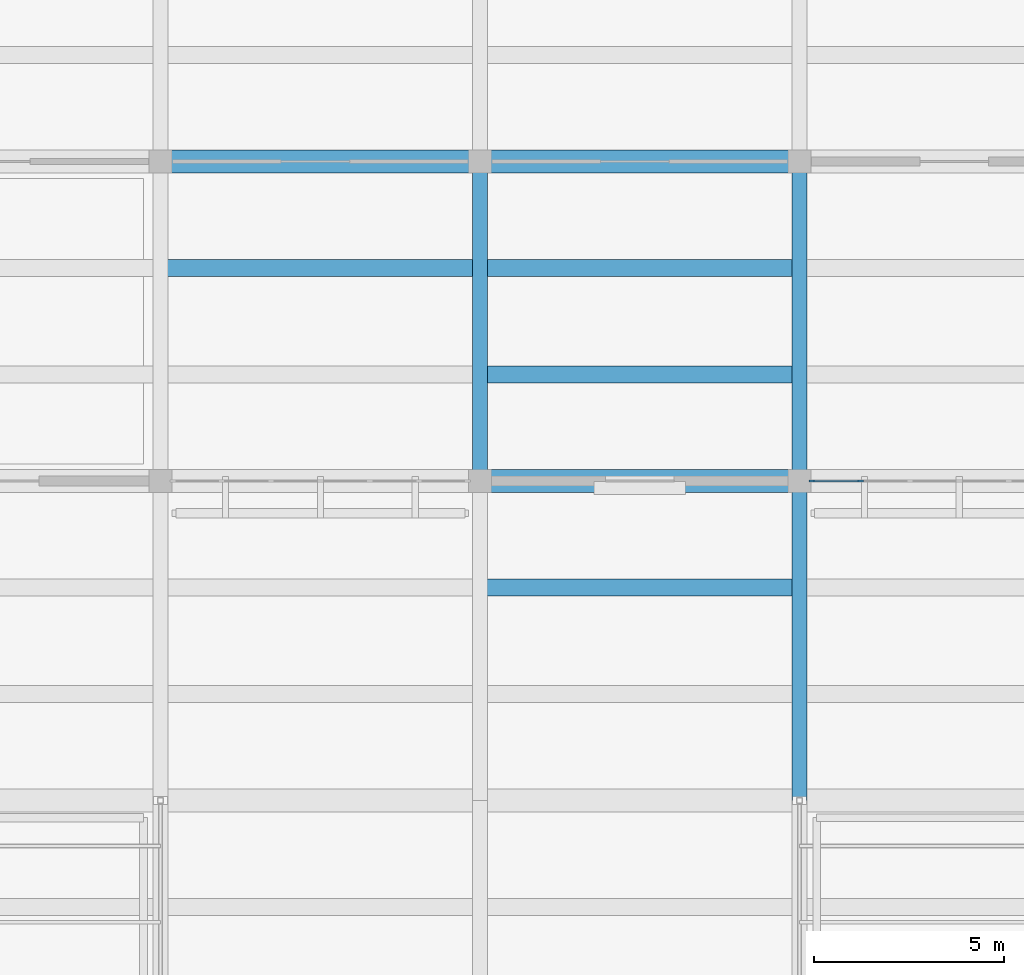
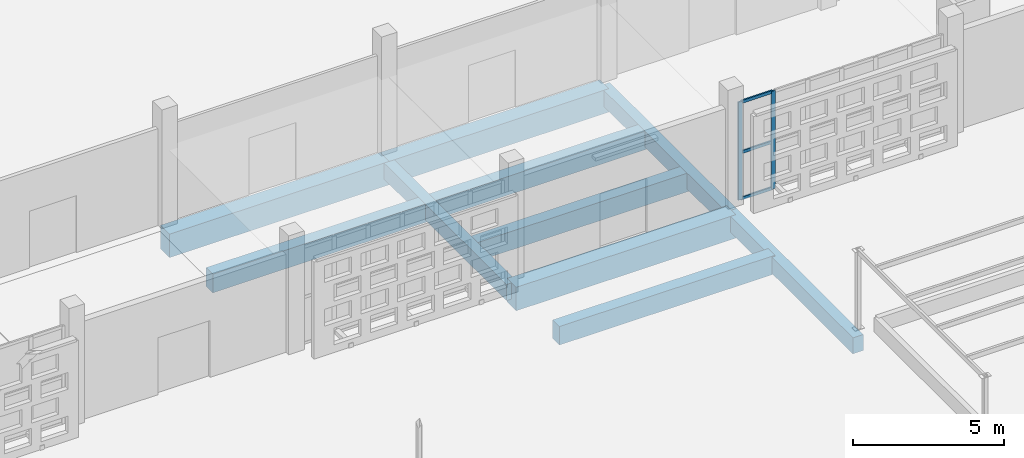
# One storey, part 29 of 129: 10 beams, 5 members, 1 element without a shape of its own.
"""IFC4 building model written with IfcOpenShell, lengths in metres."""

from ifc_helpers import new_model, si_unit, direction, frame, origin, origin_2d, place, context, subcontext, project, spatial, rectangle, extrude, material, layer, layer_set, material_profile, profile_set, type_object, element, aggregate, save


model = new_model("IFC4")

# Units and contexts
model_context = context("Model", 3, precision=1e-05, world=origin(), true_north=direction((0.0, 1.0)))
body_context = subcontext(model_context, "Body", "Model", "MODEL_VIEW")
ifc_project = project(units=[si_unit("LENGTHUNIT", "METRE"), si_unit("AREAUNIT", "SQUARE_METRE"), si_unit("VOLUMEUNIT", "CUBIC_METRE"), si_unit("PLANEANGLEUNIT", "RADIAN"), si_unit("MASSUNIT", "GRAM", prefix="KILO")], contexts=[model_context])

# Site, building, storey
site_placement = place(None, origin())
site = spatial("IfcSite", under=ifc_project, at=site_placement, CompositionType="ELEMENT")
building_placement = place(site_placement, origin())
building = spatial("IfcBuilding", under=site, at=building_placement, Name="Varnapada Polytechnic", CompositionType="ELEMENT")
storey_placement = place(building_placement, origin())
storey = spatial("IfcBuildingStorey", under=building, at=storey_placement, Name="L00", CompositionType="ELEMENT", Elevation=0.0)

# Beams
ifc_material_1 = material(Name="Concrete C40/50", Category="concrete")
ifc_material_profile_1 = material_profile(ifc_material_1, rectangle(XDim=0.449951171875, YDim=0.75, at=origin_2d()), Name="RC 450x750")
ifc_profile_set_1 = profile_set([ifc_material_profile_1], Name="Concrete C40/50")
beam_type_1 = type_object("IfcBeamType", Name="Basement/podium secondary beam BB-01 (RC 450x750)", PredefinedType="BEAM", material=ifc_profile_set_1)
for number, where, z_axis, x_axis, name in (
    (1, (75.679931640625, 89.60009765625, -0.695068359375), (1.0, 0.0, 0.0), (0.0, 1.0, 0.0), "L00 floor joist 10/11.2"),
    (2, (84.080078125, 81.199951171875, -0.655029296875), (1.0, 0.0, 0.0), (0.0, 1.0, 0.0), "L00 floor joist 11/10.2"),
    (3, (84.080078125, 86.800048828125, -0.695068359375), (1.0, 0.0, 0.0), (0.0, 1.0, 0.0), "L00 floor joist 11/11.1"),
    (4, (84.080078125, 89.60009765625, -0.695068359375), (1.0, 0.0, 0.0), (0.0, 1.0, 0.0), "L00 floor joist 11/11.2"),
):
    element("IfcBeam", number, at=place(storey_placement, frame(where, z_axis=z_axis, x_axis=x_axis)), inside=storey, type_object=beam_type_1, Name=name, PredefinedType="BEAM", context=body_context, shape_type="SweptSolid", body=[
        extrude(rectangle(XDim=0.449951171875, YDim=0.75, at=origin_2d()), origin(), (0.0, 0.0, 1.0), 8.239990234375),
    ])

# Curtain wall, members
ifc_material_2 = material(Name="Double low-E laminated glass", Category="glass")
ifc_layer = layer(ifc_material_2, 0.159912109375)
ifc_layer_set = layer_set([ifc_layer], Name="Double low-E laminated glass")
curtain_wall_type = type_object("IfcCurtainWallType", Name="Curtain Wall CW-01", PredefinedType="NOTDEFINED", material=ifc_layer_set)
curtain_wall_placement = place(storey_placement, origin())
curtain_wall = element("IfcCurtainWall", 5, at=curtain_wall_placement, inside=storey, type_object=curtain_wall_type, Name="L00 unitised curtain wall CW-01 (11)", PredefinedType="NOTDEFINED")
ifc_material_3 = material(Name="Anodised aluminium", Category="aluminium")
ifc_material_profile_2 = material_profile(ifc_material_3, rectangle(XDim=0.06005859375, YDim=0.159912109375, at=origin_2d()), Name="ALU M60x160")
ifc_profile_set_2 = profile_set([ifc_material_profile_2], Name="Anodised aluminium")
member_type_1 = type_object("IfcMemberType", Name="Mullion M-01", PredefinedType="MULLION", material=ifc_profile_set_2)
member_1_placement = place(storey_placement, frame((94.0, 84.0, 0.0), z_axis=(0.0, 0.0, 1.0), x_axis=(0.0, -1.0, 0.0)))
member_1 = element("IfcMember", 6, at=member_1_placement, type_object=member_type_1, Name="CW-01 mullion 6", PredefinedType="MULLION", context=body_context, shape_type="SweptSolid", body=[
    extrude(rectangle(XDim=0.06005859375, YDim=0.159912109375, at=origin_2d()), origin(), (0.0, 0.0, 1.0), 3.9599609375),
])
member_2_placement = place(storey_placement, frame((92.72998046875, 84.0, 0.0), z_axis=(0.0, 0.0, 1.0), x_axis=(0.0, -1.0, 0.0)))
member_2 = element("IfcMember", 7, at=member_2_placement, type_object=member_type_1, Name="CW-01 mullion 7", PredefinedType="MULLION", context=body_context, shape_type="SweptSolid", body=[
    extrude(rectangle(XDim=0.06005859375, YDim=0.159912109375, at=origin_2d()), origin(), (0.0, 0.0, 1.0), 3.9599609375),
])

# Beams
ifc_material_profile_3 = material_profile(ifc_material_1, rectangle(XDim=0.39990234375, YDim=0.64990234375, at=origin_2d()), Name="RC 400x650")
ifc_profile_set_3 = profile_set([ifc_material_profile_3], Name="Concrete C40/50")
beam_type_2 = type_object("IfcBeamType", Name="Podium framing beam BB-02 (RC 400x650)", PredefinedType="BEAM", material=ifc_profile_set_3)
for number, where, z_axis, x_axis, name in (
    (8, (84.0, 84.0, -0.64501953125), (0.0, 1.0, 0.0), (-1.0, 0.0, 0.0), "L00 beam Y 11-12 at X11"),
    (9, (92.39990234375, 75.60009765625, -0.64501953125), (0.0, 1.0, 0.0), (-1.0, 0.0, 0.0), "L00 beam Y 10-11 at X12"),
    (10, (92.39990234375, 84.0, -0.64501953125), (0.0, 1.0, 0.0), (-1.0, 0.0, 0.0), "L00 beam Y 11-12 at X12"),
):
    element("IfcBeam", number, at=place(storey_placement, frame(where, z_axis=z_axis, x_axis=x_axis)), inside=storey, type_object=beam_type_2, Name=name, PredefinedType="BEAM", context=body_context, shape_type="SweptSolid", body=[
        extrude(rectangle(XDim=0.39990234375, YDim=0.64990234375, at=origin_2d()), origin(), (0.0, 0.0, 1.0), 8.39990234375),
    ])

# Member
ifc_material_profile_4 = material_profile(ifc_material_3, rectangle(XDim=0.06005859375, YDim=0.1201171875, at=origin_2d()), Name="ALU T60x120")
ifc_profile_set_4 = profile_set([ifc_material_profile_4], Name="Anodised aluminium")
member_type_2 = type_object("IfcMemberType", Name="Transom T-01", PredefinedType="USERDEFINED", material=ifc_profile_set_4)
member_3_placement = place(storey_placement, frame((93.969970703125, 84.0, 0.030029296875), z_axis=(-1.0, 0.0, 0.0), x_axis=(0.0, -1.0, 0.0)))
member_3 = element("IfcMember", 11, at=member_3_placement, type_object=member_type_2, Name="CW-01 transom 6.1", ObjectType="TRANSOM", PredefinedType="USERDEFINED", context=body_context, shape_type="SweptSolid", body=[
    extrude(rectangle(XDim=0.06005859375, YDim=0.1201171875, at=origin_2d()), origin(), (0.0, 0.0, 1.0), 1.2099609375),
])

member_4_placement = place(storey_placement, frame((93.969970703125, 84.0, 1.90087890625), z_axis=(-1.0, 0.0, 0.0), x_axis=(0.0, -1.0, 0.0)))
member_4 = element("IfcMember", 12, at=member_4_placement, type_object=member_type_2, Name="CW-01 transom 6.2", ObjectType="TRANSOM", PredefinedType="USERDEFINED", context=body_context, shape_type="SweptSolid", body=[
    extrude(rectangle(XDim=0.06005859375, YDim=0.1201171875, at=origin_2d()), origin(), (0.0, 0.0, 1.0), 1.2099609375),
])

member_5_placement = place(storey_placement, frame((93.969970703125, 84.0, 3.929931640625), z_axis=(-1.0, 0.0, 0.0), x_axis=(0.0, -1.0, 0.0)))
member_5 = element("IfcMember", 13, at=member_5_placement, type_object=member_type_2, Name="CW-01 transom 6.3", ObjectType="TRANSOM", PredefinedType="USERDEFINED", context=body_context, shape_type="SweptSolid", body=[
    extrude(rectangle(XDim=0.06005859375, YDim=0.1201171875, at=origin_2d()), origin(), (0.0, 0.0, 1.0), 1.2099609375),
])

aggregate(curtain_wall, [member_1, member_2, member_3, member_4, member_5])

# Beams
ifc_material_profile_5 = material_profile(ifc_material_1, rectangle(XDim=0.60009765625, YDim=0.949951171875, at=origin_2d()), Name="RC 600x950")
ifc_profile_set_5 = profile_set([ifc_material_profile_5], Name="Concrete C40/50")
beam_type_3 = type_object("IfcBeamType", Name="Workshop podium heavy girder BG-03 (RC 600x950)", PredefinedType="T_BEAM", material=ifc_profile_set_5)
for number, where, z_axis, x_axis, name in (
    (14, (75.60009765625, 92.39990234375, -0.794921875), (1.0, 0.0, 0.0), (0.0, 1.0, 0.0), "L00 beam X 10-11 at Y12"),
    (15, (84.0, 84.0, -0.794921875), (1.0, 0.0, 0.0), (0.0, 1.0, 0.0), "L00 beam X 11-12 at Y11"),
    (16, (84.0, 92.39990234375, -0.794921875), (1.0, 0.0, 0.0), (0.0, 1.0, 0.0), "L00 beam X 11-12 at Y12"),
):
    element("IfcBeam", number, at=place(storey_placement, frame(where, z_axis=z_axis, x_axis=x_axis)), inside=storey, type_object=beam_type_3, Name=name, PredefinedType="T_BEAM", context=body_context, shape_type="SweptSolid", body=[
        extrude(rectangle(XDim=0.60009765625, YDim=0.949951171875, at=origin_2d()), origin(), (0.0, 0.0, 1.0), 8.39990234375),
    ])

save(model, "model.ifc")
